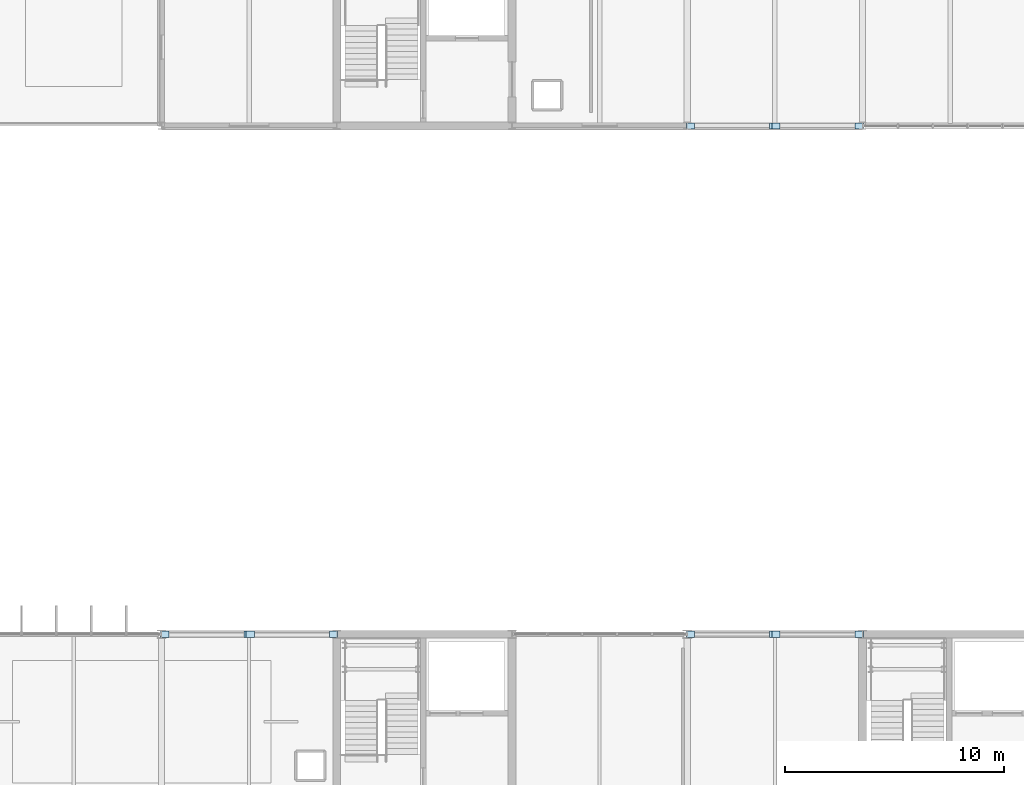
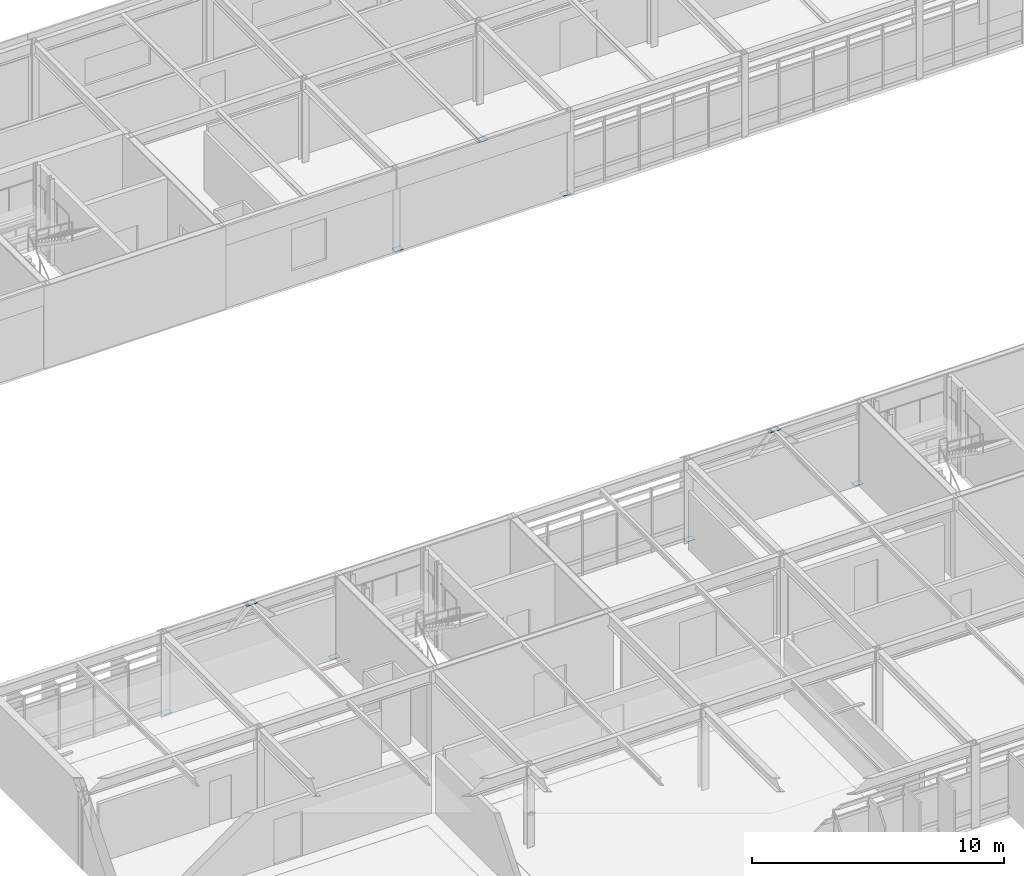
# One storey, part 64 of 85: 12 plates.
"""IFC4 building model written with IfcOpenShell, lengths in metres."""

from ifc_helpers import new_model, si_unit, direction, frame, origin, origin_2d, place, context, subcontext, project, spatial, rectangle, extrude, material, layer, layer_set, type_object, element, save


model = new_model("IFC4")

# Units and contexts
model_context = context("Model", 3, precision=1e-05, world=origin(), true_north=direction((0.0, 1.0)))
body_context = subcontext(model_context, "Body", "Model", "MODEL_VIEW")
ifc_project = project(units=[si_unit("LENGTHUNIT", "METRE"), si_unit("AREAUNIT", "SQUARE_METRE"), si_unit("VOLUMEUNIT", "CUBIC_METRE"), si_unit("PLANEANGLEUNIT", "RADIAN"), si_unit("MASSUNIT", "GRAM", prefix="KILO")], contexts=[model_context])

# Site, building, storey
site_placement = place(None, origin())
site = spatial("IfcSite", under=ifc_project, at=site_placement, CompositionType="ELEMENT")
building_placement = place(site_placement, origin())
building = spatial("IfcBuilding", under=site, at=building_placement, Name="Zulena Civic Courthouse", CompositionType="ELEMENT")
storey_placement = place(building_placement, frame((0.0, 0.0, 25.199951171875)))
storey = spatial("IfcBuildingStorey", under=building, at=storey_placement, Name="L05", CompositionType="ELEMENT", Elevation=25.199951171875)

# Plates
ifc_material = material(Name="Steel ASTM A572 Grade 50", Category="steel")
ifc_layer = layer(ifc_material, 0.02197265625)
ifc_layer_set = layer_set([ifc_layer], Name="Steel ASTM A572 Grade 50")
plate_type = type_object("IfcPlateType", Name="GussetPlate_380x280x22", PredefinedType="SHEET", material=ifc_layer_set)
for number, where, z_axis, x_axis, name in (
    (1, (12.14990234375, 22.800048828125, -0.0009765625), (0.0, 0.0, 1.0), (1.0, 0.0, 0.0), "plate:br:V2:L05:0:0:0"),
    (2, (15.949951171875, 22.800048828125, 3.948974609375), (0.0, 0.0, 1.0), (1.0, 0.0, 0.0), "plate:br:V2:L05:0:0:1"),
    (3, (19.85009765625, 22.800048828125, -0.0009765625), (0.0, 0.0, 1.0), (1.0, 0.0, 0.0), "plate:br:V2:L05:0:1:0"),
    (4, (16.050048828125, 22.800048828125, 3.948974609375), (0.0, 0.0, 1.0), (1.0, 0.0, 0.0), "plate:br:V2:L05:0:1:1"),
    (5, (36.14990234375, 22.800048828125, -0.0009765625), (0.0, 0.0, 1.0), (1.0, 0.0, 0.0), "plate:br:V2:L05:1:0:0"),
    (6, (39.949951171875, 22.800048828125, 3.948974609375), (0.0, 0.0, 1.0), (1.0, 0.0, 0.0), "plate:br:V2:L05:1:0:1"),
    (7, (43.85009765625, 22.800048828125, -0.0009765625), (0.0, 0.0, 1.0), (1.0, 0.0, 0.0), "plate:br:V2:L05:1:1:0"),
    (8, (40.050048828125, 22.800048828125, 3.948974609375), (0.0, 0.0, 1.0), (1.0, 0.0, 0.0), "plate:br:V2:L05:1:1:1"),
    (9, (36.14990234375, 46.0, -0.0009765625), (0.0, 0.0, 1.0), (1.0, 0.0, 0.0), "plate:br:V5:L05:5:0:0"),
    (10, (39.949951171875, 46.0, 3.948974609375), (0.0, 0.0, 1.0), (1.0, 0.0, 0.0), "plate:br:V5:L05:5:0:1"),
    (11, (43.85009765625, 46.0, -0.0009765625), (0.0, 0.0, 1.0), (1.0, 0.0, 0.0), "plate:br:V5:L05:5:1:0"),
    (12, (40.050048828125, 46.0, 3.948974609375), (0.0, 0.0, 1.0), (1.0, 0.0, 0.0), "plate:br:V5:L05:5:1:1"),
):
    element("IfcPlate", number, at=place(storey_placement, frame(where, z_axis=z_axis, x_axis=x_axis)), inside=storey, type_object=plate_type, Name=name, PredefinedType="SHEET", context=body_context, shape_type="SweptSolid", body=[
        extrude(rectangle(XDim=0.3798828125, YDim=0.280029296875, at=origin_2d()), origin(), (0.0, 0.0, 1.0), 0.02197265625),
    ])

save(model, "model.ifc")
